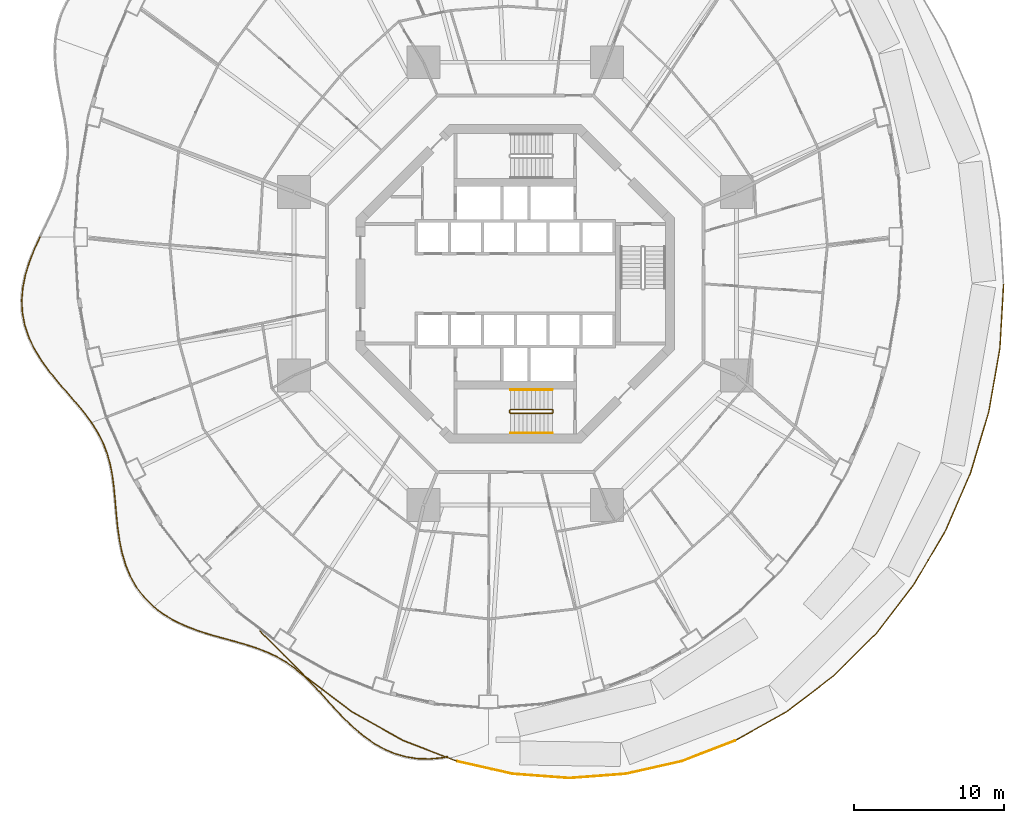
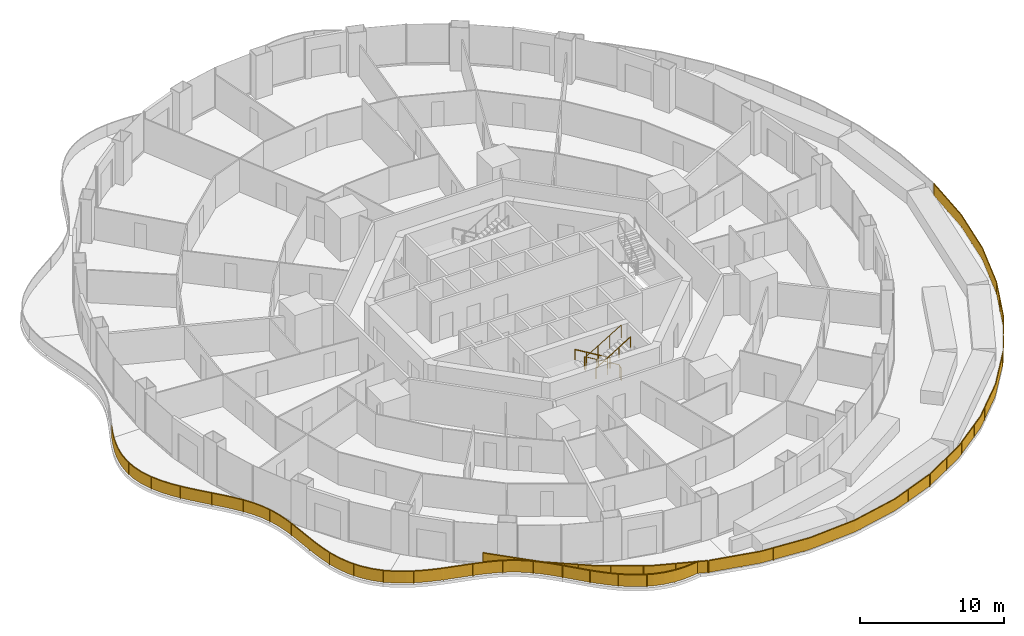
# One storey, part 20 of 22: 11 railings.
"""IFC4 building model written with IfcOpenShell, lengths in metres."""

from ifc_helpers import new_model, si_unit, direction, frame, origin, origin_2d, place, context, subcontext, project, spatial, polyline, rectangle, circle, outline, extrude, material, type_object, element, save


model = new_model("IFC4")

# Units and contexts
model_context = context("Model", 3, precision=1e-05, world=origin(), true_north=direction((0.0, 1.0)))
body_context = subcontext(model_context, "Body", "Model", "MODEL_VIEW")
ifc_project = project(units=[si_unit("LENGTHUNIT", "METRE"), si_unit("AREAUNIT", "SQUARE_METRE"), si_unit("VOLUMEUNIT", "CUBIC_METRE"), si_unit("PLANEANGLEUNIT", "RADIAN"), si_unit("MASSUNIT", "GRAM", prefix="KILO")], contexts=[model_context])

# Site, building, storey
site_placement = place(None, origin())
site = spatial("IfcSite", under=ifc_project, at=site_placement, CompositionType="ELEMENT")
building_placement = place(site_placement, origin())
building = spatial("IfcBuilding", under=site, at=building_placement, Name="Nagisa Residences", CompositionType="ELEMENT")
storey_placement = place(building_placement, frame((0.0, 0.0, 73.300048828125)))
storey = spatial("IfcBuildingStorey", under=building, at=storey_placement, Name="L17", CompositionType="ELEMENT", Elevation=73.300048828125)

# Railings
ifc_material_1 = material(Name="Stainless steel 316", Category="steel")
railing_type_1 = type_object("IfcRailingType", Name="BALCONY GUARD 1100", PredefinedType="BALUSTRADE", material=ifc_material_1)
railing_1_placement = place(storey_placement, frame((-31.72509765625, 3.11767578125, 0.0)))
element("IfcRailing", 1, at=railing_1_placement, inside=storey, type_object=railing_type_1, Name="guard:L17:bal08-0", PredefinedType="BALUSTRADE", context=body_context, shape_type="SweptSolid", body=[
    extrude(outline(polyline([(-0.353271484375, -0.83056640625), (0.022705078125, -0.010498046875), (-0.022705078125, 0.010498046875), (-0.399169921875, -0.81103515625), (-0.73193359375, -1.6552734375), (-0.996337890625, -2.511474609375), (-1.171875, -3.37451171875), (-1.24169921875, -4.237548828125), (-1.19775390625, -5.079345703125), (-1.03369140625, -5.919921875), (-0.755615234375, -6.7392578125), (-0.373779296875, -7.53173828125), (0.094970703125, -8.295166015625), (0.626220703125, -9.015625), (1.20166015625, -9.722412109375), (1.792724609375, -10.4072265625), (2.3740234375, -11.0771484375), (2.92236328125, -11.7412109375), (3.416748046875, -12.4033203125), (3.456787109375, -12.37353515625), (2.9619140625, -11.71044921875), (2.412109375, -11.044921875), (1.830810546875, -10.37451171875), (1.240234375, -9.690185546875), (0.665771484375, -8.98486328125), (0.136474609375, -8.267333984375), (-0.329833984375, -7.5078125), (-0.709228515625, -6.72021484375), (-0.9853515625, -5.9072265625), (-1.14794921875, -5.072998046875), (-1.19140625, -4.238037109375), (-1.1220703125, -3.38134765625), (-0.947998046875, -2.523681640625), (-0.6845703125, -1.671875), (-0.353271484375, -0.83056640625)])), frame((0.0, 0.0, 1.050048828125)), (0.0, 0.0, 1.0), 0.050048828125),
    extrude(outline(polyline([(-0.369873046875, -0.823486328125), (0.00634765625, -0.0029296875), (-0.00634765625, 0.0029296875), (-0.382568359375, -0.818115234375), (-0.71484375, -1.6611328125), (-0.97900390625, -2.515869140625), (-1.15380859375, -3.376953125), (-1.2236328125, -4.23779296875), (-1.179931640625, -5.0771484375), (-1.016357421875, -5.915283203125), (-0.739013671875, -6.732421875), (-0.35791015625, -7.523193359375), (0.10986328125, -8.28515625), (0.640380859375, -9.004638671875), (1.215576171875, -9.710693359375), (1.806396484375, -10.3955078125), (2.3876953125, -11.065673828125), (2.9365234375, -11.730224609375), (3.43115234375, -12.392578125), (3.4423828125, -12.38427734375), (2.94775390625, -11.721435546875), (2.3984375, -11.056396484375), (1.817138671875, -10.38623046875), (1.226318359375, -9.701904296875), (0.651611328125, -8.995849609375), (0.12158203125, -8.27734375), (-0.345703125, -7.516357421875), (-0.725830078125, -6.72705078125), (-1.002685546875, -5.911865234375), (-1.165771484375, -5.0751953125), (-1.20947265625, -4.23779296875), (-1.14013671875, -3.37890625), (-0.96533203125, -2.519287109375), (-0.70166015625, -1.666015625), (-0.369873046875, -0.823486328125)])), frame((0.0, 0.0, 0.06005859375)), (0.0, 0.0, 1.0), 0.989990234375),
    extrude(rectangle(XDim=0.0400390625, YDim=0.0400390625, at=origin_2d()), origin(), (0.0, 0.0, 1.0), 1.050048828125),
    extrude(rectangle(XDim=0.0400390625, YDim=0.0400390625, at=origin_2d()), frame((-0.86572265625, -2.173095703125, 0.0)), (0.0, 0.0, 1.0), 1.050048828125),
    extrude(rectangle(XDim=0.0400390625, YDim=0.0400390625, at=origin_2d()), frame((-1.2041015625, -4.478515625, 0.0)), (0.0, 0.0, 1.0), 1.050048828125),
    extrude(rectangle(XDim=0.0400390625, YDim=0.0400390625, at=origin_2d()), frame((-0.719970703125, -6.75537109375, 0.0)), (0.0, 0.0, 1.0), 1.050048828125),
    extrude(rectangle(XDim=0.0400390625, YDim=0.0400390625, at=origin_2d()), frame((0.471923828125, -8.76416015625, 0.0)), (0.0, 0.0, 1.0), 1.050048828125),
    extrude(rectangle(XDim=0.0400390625, YDim=0.0400390625, at=origin_2d()), frame((1.965087890625, -10.567626953125, 0.0)), (0.0, 0.0, 1.0), 1.050048828125),
    extrude(rectangle(XDim=0.0400390625, YDim=0.0400390625, at=origin_2d()), frame((3.436767578125, -12.388427734375, 0.0)), (0.0, 0.0, 1.0), 1.050048828125),
])
railing_2_placement = place(storey_placement, frame((-28.288330078125, -9.270751953125, 0.0)))
element("IfcRailing", 2, at=railing_2_placement, inside=storey, type_object=railing_type_1, Name="guard:L17:bal09-0", PredefinedType="BALUSTRADE", context=body_context, shape_type="SweptSolid", body=[
    extrude(outline(polyline([(0.437744140625, -0.64306640625), (0.021240234375, 0.013427734375), (-0.021240234375, -0.013427734375), (0.394287109375, -0.66796875), (0.74169921875, -1.349853515625), (1.017822265625, -2.060546875), (1.2265625, -2.80517578125), (1.377197265625, -3.585205078125), (1.476806640625, -4.387451171875), (1.55712890625, -5.23291015625), (1.631103515625, -6.101318359375), (1.720458984375, -6.981689453125), (1.845703125, -7.861328125), (2.017822265625, -8.713623046875), (2.269287109375, -9.548828125), (2.60400390625, -10.33984375), (3.02880859375, -11.073486328125), (3.544921875, -11.739990234375), (4.1435546875, -12.3251953125), (4.1787109375, -12.28955078125), (3.58251953125, -11.706787109375), (3.0703125, -11.045654296875), (2.64892578125, -10.3173828125), (2.316650390625, -9.53173828125), (2.066650390625, -8.701416015625), (1.89501953125, -7.85302734375), (1.770263671875, -6.975830078125), (1.680908203125, -6.096435546875), (1.60693359375, -5.228515625), (1.526611328125, -4.382080078125), (1.426513671875, -3.577392578125), (1.275390625, -2.79345703125), (1.065185546875, -2.044921875), (0.78759765625, -1.329345703125), (0.437744140625, -0.64306640625)])), frame((0.0, 0.0, 1.050048828125)), (0.0, 0.0, 1.0), 0.050048828125),
    extrude(outline(polyline([(0.422119140625, -0.652099609375), (0.005859375, 0.003662109375), (-0.005859375, -0.003662109375), (0.409912109375, -0.658935546875), (0.75830078125, -1.342529296875), (1.034912109375, -2.054931640625), (1.244140625, -2.801025390625), (1.39501953125, -3.582275390625), (1.49462890625, -4.385498046875), (1.574951171875, -5.2314453125), (1.64892578125, -6.099609375), (1.738525390625, -6.9794921875), (1.863525390625, -7.8583984375), (2.035400390625, -8.709228515625), (2.286376953125, -9.542724609375), (2.6201171875, -10.331787109375), (3.043701171875, -11.0634765625), (3.55859375, -11.72802734375), (4.15625, -12.3125), (4.166015625, -12.30224609375), (3.56884765625, -11.71875), (3.055419921875, -11.0556640625), (2.6328125, -10.325439453125), (2.299560546875, -9.537841796875), (2.049072265625, -8.705810546875), (1.877197265625, -7.85595703125), (1.752197265625, -6.97802734375), (1.6630859375, -6.09814453125), (1.589111328125, -5.22998046875), (1.5087890625, -4.384033203125), (1.40869140625, -3.580322265625), (1.2578125, -2.797607421875), (1.048095703125, -2.050537109375), (0.77099609375, -1.336669921875), (0.422119140625, -0.652099609375)])), frame((0.0, 0.0, 0.06005859375)), (0.0, 0.0, 1.0), 0.989990234375),
    extrude(rectangle(XDim=0.0400390625, YDim=0.0400390625, at=origin_2d()), origin(), (0.0, 0.0, 1.0), 1.050048828125),
    extrude(rectangle(XDim=0.0400390625, YDim=0.0400390625, at=origin_2d()), frame((1.0078125, -1.9658203125, 0.0)), (0.0, 0.0, 1.0), 1.050048828125),
    extrude(rectangle(XDim=0.0400390625, YDim=0.0400390625, at=origin_2d()), frame((1.4697265625, -4.128173828125, 0.0)), (0.0, 0.0, 1.0), 1.050048828125),
    extrude(rectangle(XDim=0.0400390625, YDim=0.0400390625, at=origin_2d()), frame((1.679931640625, -6.333984375, 0.0)), (0.0, 0.0, 1.0), 1.050048828125),
    extrude(rectangle(XDim=0.0400390625, YDim=0.0400390625, at=origin_2d()), frame((2.005126953125, -8.5244140625, 0.0)), (0.0, 0.0, 1.0), 1.050048828125),
    extrude(rectangle(XDim=0.0400390625, YDim=0.0400390625, at=origin_2d()), frame((2.778564453125, -10.59130859375, 0.0)), (0.0, 0.0, 1.0), 1.050048828125),
    extrude(rectangle(XDim=0.0400390625, YDim=0.0400390625, at=origin_2d()), frame((4.1611328125, -12.307373046875, 0.0)), (0.0, 0.0, 1.0), 1.050048828125),
])
railing_3_placement = place(storey_placement, frame((-24.127197265625, -21.578125, 0.0)))
element("IfcRailing", 3, at=railing_3_placement, inside=storey, type_object=railing_type_1, Name="guard:L17:bal10-0", PredefinedType="BALUSTRADE", context=body_context, shape_type="SweptSolid", body=[
    extrude(outline(polyline([(0.65673828125, -0.46435546875), (0.01513671875, 0.02001953125), (-0.01513671875, -0.02001953125), (0.62890625, -0.505859375), (1.341064453125, -0.929931640625), (2.101806640625, -1.290283203125), (2.8955078125, -1.595947265625), (3.70703125, -1.858154296875), (4.508544921875, -2.080810546875), (5.310546875, -2.300537109375), (6.089111328125, -2.522705078125), (6.835693359375, -2.763671875), (7.54443359375, -3.036865234375), (8.19921875, -3.345458984375), (8.829833984375, -3.715576171875), (9.42724609375, -4.142822265625), (9.9990234375, -4.627197265625), (10.554443359375, -5.16357421875), (11.0966796875, -5.739501953125), (11.13330078125, -5.705322265625), (10.590087890625, -5.12841796875), (10.03271484375, -4.590087890625), (9.4580078125, -4.103271484375), (8.857177734375, -3.673583984375), (8.22265625, -3.301025390625), (7.56396484375, -2.990966796875), (6.852294921875, -2.71630859375), (6.103759765625, -2.474853515625), (5.32421875, -2.252197265625), (4.521728515625, -2.032470703125), (3.72119140625, -1.810302734375), (2.912109375, -1.548583984375), (2.121337890625, -1.244384765625), (1.364501953125, -0.885498046875), (0.65673828125, -0.46435546875)])), frame((0.0, 0.0, 1.050048828125)), (0.0, 0.0, 1.0), 0.050048828125),
    extrude(outline(polyline([(0.646728515625, -0.479248046875), (0.004150390625, 0.005615234375), (-0.004150390625, -0.005615234375), (0.638916015625, -0.490966796875), (1.349365234375, -0.913818359375), (2.10888671875, -1.273681640625), (2.9013671875, -1.578857421875), (3.712158203125, -1.8408203125), (4.51318359375, -2.0634765625), (5.3154296875, -2.283203125), (6.094482421875, -2.50537109375), (6.841552734375, -2.74658203125), (7.551513671875, -3.020263671875), (8.207763671875, -3.329345703125), (8.839599609375, -3.700439453125), (9.438232421875, -4.128662109375), (10.01123046875, -4.61376953125), (10.5673828125, -5.15087890625), (11.10986328125, -5.727294921875), (11.1201171875, -5.717529296875), (10.5771484375, -5.14111328125), (10.0205078125, -4.603515625), (9.447021484375, -4.117431640625), (8.847412109375, -3.688720703125), (8.214111328125, -3.317138671875), (7.556884765625, -3.007568359375), (6.846435546875, -2.7333984375), (6.098388671875, -2.4921875), (5.3193359375, -2.26953125), (4.51708984375, -2.0498046875), (3.716064453125, -1.82763671875), (2.90625, -1.565673828125), (2.1142578125, -1.260986328125), (1.356201171875, -0.901611328125), (0.646728515625, -0.479248046875)])), frame((0.0, 0.0, 0.06005859375)), (0.0, 0.0, 1.0), 0.989990234375),
    extrude(rectangle(XDim=0.0400390625, YDim=0.0400390625, at=origin_2d()), origin(), (0.0, 0.0, 1.0), 1.050048828125),
    extrude(rectangle(XDim=0.0400390625, YDim=0.0400390625, at=origin_2d()), frame((1.791748046875, -1.11572265625, 0.0)), (0.0, 0.0, 1.0), 1.050048828125),
    extrude(rectangle(XDim=0.0400390625, YDim=0.0400390625, at=origin_2d()), frame((3.77490234375, -1.85107421875, 0.0)), (0.0, 0.0, 1.0), 1.050048828125),
    extrude(rectangle(XDim=0.0400390625, YDim=0.0400390625, at=origin_2d()), frame((5.814697265625, -2.41845703125, 0.0)), (0.0, 0.0, 1.0), 1.050048828125),
    extrude(rectangle(XDim=0.0400390625, YDim=0.0400390625, at=origin_2d()), frame((7.805419921875, -3.13232421875, 0.0)), (0.0, 0.0, 1.0), 1.050048828125),
    extrude(rectangle(XDim=0.0400390625, YDim=0.0400390625, at=origin_2d()), frame((9.594482421875, -4.251708984375, 0.0)), (0.0, 0.0, 1.0), 1.050048828125),
    extrude(rectangle(XDim=0.0400390625, YDim=0.0400390625, at=origin_2d()), frame((11.114990234375, -5.722412109375, 0.0)), (0.0, 0.0, 1.0), 1.050048828125),
])
railing_4_placement = place(storey_placement, frame((-13.01220703125, -27.300537109375, 0.0)))
element("IfcRailing", 4, at=railing_4_placement, inside=storey, type_object=railing_type_1, Name="guard:L17:bal11-0", PredefinedType="BALUSTRADE", context=body_context, shape_type="SweptSolid", body=[
    extrude(outline(polyline([(0.54541015625, -0.567138671875), (0.0185546875, 0.016845703125), (-0.0185546875, -0.016845703125), (0.50830078125, -0.600830078125), (1.057373046875, -1.20068359375), (1.62890625, -1.796630859375), (2.229248046875, -2.3701171875), (2.86279296875, -2.903076171875), (3.515380859375, -3.37255859375), (4.2197265625, -3.774169921875), (4.95703125, -4.08935546875), (5.721435546875, -4.309326171875), (6.50732421875, -4.4296875), (7.29052734375, -4.447998046875), (8.093994140625, -4.373046875), (8.495361328125, -4.2919921875), (8.485595703125, -4.2431640625), (8.086669921875, -4.3232421875), (7.28857421875, -4.397705078125), (6.51171875, -4.3798828125), (5.732177734375, -4.260498046875), (4.9736328125, -4.0419921875), (4.2421875, -3.729248046875), (3.542236328125, -3.33056640625), (2.8935546875, -2.863525390625), (2.262451171875, -2.3330078125), (1.6640625, -1.760986328125), (1.093994140625, -1.16650390625), (0.54541015625, -0.567138671875)])), frame((0.0, 0.0, 1.050048828125)), (0.0, 0.0, 1.0), 0.050048828125),
    extrude(outline(polyline([(0.531982421875, -0.579345703125), (0.005126953125, 0.004638671875), (-0.005126953125, -0.004638671875), (0.521728515625, -0.588623046875), (1.070556640625, -1.1884765625), (1.6416015625, -1.78369140625), (2.2412109375, -2.356689453125), (2.873779296875, -2.888916015625), (3.52490234375, -3.357421875), (4.227783203125, -3.758056640625), (4.962890625, -4.072265625), (5.725341796875, -4.291748046875), (6.5087890625, -4.411865234375), (7.289794921875, -4.429931640625), (8.09130859375, -4.35498046875), (8.491943359375, -4.2744140625), (8.489013671875, -4.2607421875), (8.08935546875, -4.34130859375), (7.289306640625, -4.415771484375), (6.51025390625, -4.397705078125), (5.728271484375, -4.278076171875), (4.9677734375, -4.05908203125), (4.234130859375, -3.745361328125), (3.53271484375, -3.345703125), (2.882568359375, -2.877685546875), (2.25048828125, -2.346435546875), (1.6513671875, -1.77392578125), (1.080810546875, -1.1787109375), (0.531982421875, -0.579345703125)])), frame((0.0, 0.0, 0.06005859375)), (0.0, 0.0, 1.0), 0.989990234375),
    extrude(rectangle(XDim=0.0400390625, YDim=0.0400390625, at=origin_2d()), origin(), (0.0, 0.0, 1.0), 1.050048828125),
    extrude(rectangle(XDim=0.0400390625, YDim=0.0400390625, at=origin_2d()), frame((1.36181640625, -1.482177734375, 0.0)), (0.0, 0.0, 1.0), 1.050048828125),
    extrude(rectangle(XDim=0.0400390625, YDim=0.0400390625, at=origin_2d()), frame((2.83740234375, -2.848876953125, 0.0)), (0.0, 0.0, 1.0), 1.050048828125),
    extrude(rectangle(XDim=0.0400390625, YDim=0.0400390625, at=origin_2d()), frame((4.552490234375, -3.88916015625, 0.0)), (0.0, 0.0, 1.0), 1.050048828125),
    extrude(rectangle(XDim=0.0400390625, YDim=0.0400390625, at=origin_2d()), frame((6.489501953125, -4.401611328125, 0.0)), (0.0, 0.0, 1.0), 1.050048828125),
    extrude(rectangle(XDim=0.0400390625, YDim=0.0400390625, at=origin_2d()), frame((8.490478515625, -4.267578125, 0.0)), (0.0, 0.0, 1.0), 1.050048828125),
])
ifc_material_2 = material(Name="Stainless steel 316", Category="steel")
railing_type_2 = type_object("IfcRailingType", Name="ROOF GUARD 1100", PredefinedType="GUARDRAIL", material=ifc_material_2)
railing_5_placement = place(storey_placement, frame((-17.028076171875, -23.176025390625, 0.0)))
element("IfcRailing", 5, at=railing_5_placement, inside=storey, type_object=railing_type_2, Name="guard:L17:garden03", PredefinedType="GUARDRAIL", context=body_context, shape_type="SweptSolid", body=[
    extrude(outline(polyline([(0.140869140625, -0.141845703125), (0.019775390625, 0.015380859375), (-0.019775390625, -0.015380859375), (0.103271484375, -0.175048828125), (2.957275390625, -3.0234375), (6.114501953125, -5.423828125), (9.51953125, -7.334716796875), (13.075927734375, -8.70849609375), (13.093994140625, -8.66162109375), (9.541015625, -7.289306640625), (6.141845703125, -5.3818359375), (2.990478515625, -2.98583984375), (0.140869140625, -0.141845703125)])), frame((0.0, 0.0, 1.050048828125)), (0.0, 0.0, 1.0), 0.050048828125),
    extrude(outline(polyline([(0.12744140625, -0.15380859375), (0.005615234375, 0.004150390625), (-0.005615234375, -0.004150390625), (0.11669921875, -0.1630859375), (2.96923828125, -3.010009765625), (6.124267578125, -5.40869140625), (9.52734375, -7.318359375), (13.08251953125, -8.691650390625), (13.08740234375, -8.678466796875), (9.533203125, -7.3056640625), (6.132080078125, -5.39697265625), (2.978515625, -2.999267578125), (0.12744140625, -0.15380859375)])), frame((0.0, 0.0, 0.06005859375)), (0.0, 0.0, 1.0), 0.989990234375),
    extrude(rectangle(XDim=0.0400390625, YDim=0.0400390625, at=origin_2d()), origin(), (0.0, 0.0, 1.0), 1.050048828125),
    extrude(rectangle(XDim=0.0400390625, YDim=0.0400390625, at=origin_2d()), frame((1.588623046875, -1.6220703125, 0.0)), (0.0, 0.0, 1.0), 1.050048828125),
    extrude(rectangle(XDim=0.0400390625, YDim=0.0400390625, at=origin_2d()), frame((3.224365234375, -3.195068359375, 0.0)), (0.0, 0.0, 1.0), 1.050048828125),
    extrude(rectangle(XDim=0.0400390625, YDim=0.0400390625, at=origin_2d()), frame((5.032958984375, -4.570068359375, 0.0)), (0.0, 0.0, 1.0), 1.050048828125),
    extrude(rectangle(XDim=0.0400390625, YDim=0.0400390625, at=origin_2d()), frame((6.90966796875, -5.84130859375, 0.0)), (0.0, 0.0, 1.0), 1.050048828125),
    extrude(rectangle(XDim=0.0400390625, YDim=0.0400390625, at=origin_2d()), frame((8.890869140625, -6.953125, 0.0)), (0.0, 0.0, 1.0), 1.050048828125),
    extrude(rectangle(XDim=0.0400390625, YDim=0.0400390625, at=origin_2d()), frame((10.965576171875, -7.866455078125, 0.0)), (0.0, 0.0, 1.0), 1.050048828125),
    extrude(rectangle(XDim=0.0400390625, YDim=0.0400390625, at=origin_2d()), frame((13.0849609375, -8.68505859375, 0.0)), (0.0, 0.0, 1.0), 1.050048828125),
])
railing_6_placement = place(storey_placement, frame((-3.86669921875, -31.88427734375, 0.0)))
element("IfcRailing", 6, at=railing_6_placement, inside=storey, type_object=railing_type_2, Name="guard:L17:garden04", PredefinedType="GUARDRAIL", context=body_context, shape_type="SweptSolid", body=[
    extrude(outline(polyline([(3.68505859375, -0.80859375), (0.005615234375, 0.0244140625), (-0.005615234375, -0.0244140625), (3.677734375, -0.8583984375), (7.466796875, -1.140869140625), (11.255615234375, -0.8583984375), (14.979736328125, -0.01513671875), (18.5361328125, 1.3583984375), (18.51806640625, 1.4052734375), (14.965087890625, 0.03271484375), (11.248291015625, -0.80859375), (7.466796875, -1.090576171875), (3.68505859375, -0.80859375)])), frame((0.0, 0.0, 1.050048828125)), (0.0, 0.0, 1.0), 0.050048828125),
    extrude(outline(polyline([(3.682373046875, -0.82666015625), (0.00146484375, 0.0068359375), (-0.00146484375, -0.0068359375), (3.680419921875, -0.84033203125), (7.466796875, -1.122802734375), (11.2529296875, -0.84033203125), (14.974365234375, 0.001953125), (18.529541015625, 1.375244140625), (18.524658203125, 1.388427734375), (14.970458984375, 0.015625), (11.2509765625, -0.82666015625), (7.466796875, -1.108642578125), (3.682373046875, -0.82666015625)])), frame((0.0, 0.0, 0.06005859375)), (0.0, 0.0, 1.0), 0.989990234375),
    extrude(rectangle(XDim=0.0400390625, YDim=0.0400390625, at=origin_2d()), origin(), (0.0, 0.0, 1.0), 1.050048828125),
    extrude(rectangle(XDim=0.0400390625, YDim=0.0400390625, at=origin_2d()), frame((2.3154296875, -0.524169921875, 0.0)), (0.0, 0.0, 1.0), 1.050048828125),
    extrude(rectangle(XDim=0.0400390625, YDim=0.0400390625, at=origin_2d()), frame((4.652099609375, -0.90576171875, 0.0)), (0.0, 0.0, 1.0), 1.050048828125),
    extrude(rectangle(XDim=0.0400390625, YDim=0.0400390625, at=origin_2d()), frame((7.019287109375, -1.082275390625, 0.0)), (0.0, 0.0, 1.0), 1.050048828125),
    extrude(rectangle(XDim=0.0400390625, YDim=0.0400390625, at=origin_2d()), frame((9.38671875, -0.97265625, 0.0)), (0.0, 0.0, 1.0), 1.050048828125),
    extrude(rectangle(XDim=0.0400390625, YDim=0.0400390625, at=origin_2d()), frame((11.742919921875, -0.722412109375, 0.0)), (0.0, 0.0, 1.0), 1.050048828125),
    extrude(rectangle(XDim=0.0400390625, YDim=0.0400390625, at=origin_2d()), frame((14.058349609375, -0.1982421875, 0.0)), (0.0, 0.0, 1.0), 1.050048828125),
    extrude(rectangle(XDim=0.0400390625, YDim=0.0400390625, at=origin_2d()), frame((16.312744140625, 0.5263671875, 0.0)), (0.0, 0.0, 1.0), 1.050048828125),
    extrude(rectangle(XDim=0.0400390625, YDim=0.0400390625, at=origin_2d()), frame((18.527099609375, 1.3818359375, 0.0)), (0.0, 0.0, 1.0), 1.050048828125),
])
railing_7_placement = place(storey_placement, frame((14.732666015625, -30.468505859375, 0.0)))
element("IfcRailing", 7, at=railing_7_placement, inside=storey, type_object=railing_type_2, Name="guard:L17:garden05", PredefinedType="GUARDRAIL", context=body_context, shape_type="SweptSolid", body=[
    extrude(outline(polyline([(3.353759765625, 1.91064453125), (-0.01220703125, 0.021728515625), (0.01220703125, -0.021728515625), (3.381103515625, 1.86865234375), (6.5380859375, 4.26904296875), (9.392333984375, 7.117431640625), (11.895263671875, 10.365478515625), (13.9833984375, 13.92138671875), (13.9404296875, 13.94677734375), (11.853759765625, 10.393310546875), (9.354736328125, 7.150634765625), (6.5048828125, 4.306640625), (3.353759765625, 1.91064453125)])), frame((0.0, 0.0, 1.050048828125)), (0.0, 0.0, 1.0), 0.050048828125),
    extrude(outline(polyline([(3.363525390625, 1.8955078125), (-0.00341796875, 0.006103515625), (0.00341796875, -0.006103515625), (3.371337890625, 1.8837890625), (6.526123046875, 4.282470703125), (9.37890625, 7.12939453125), (11.88037109375, 10.37548828125), (13.968017578125, 13.930419921875), (13.955810546875, 13.937744140625), (11.86865234375, 10.38330078125), (9.3681640625, 7.138671875), (6.516845703125, 4.293212890625), (3.363525390625, 1.8955078125)])), frame((0.0, 0.0, 0.06005859375)), (0.0, 0.0, 1.0), 0.989990234375),
    extrude(rectangle(XDim=0.0400390625, YDim=0.0400390625, at=origin_2d()), origin(), (0.0, 0.0, 1.0), 1.050048828125),
    extrude(rectangle(XDim=0.0400390625, YDim=0.0400390625, at=origin_2d()), frame((1.945068359375, 1.09130859375, 0.0)), (0.0, 0.0, 1.0), 1.050048828125),
    extrude(rectangle(XDim=0.0400390625, YDim=0.0400390625, at=origin_2d()), frame((3.844482421875, 2.252197265625, 0.0)), (0.0, 0.0, 1.0), 1.050048828125),
    extrude(rectangle(XDim=0.0400390625, YDim=0.0400390625, at=origin_2d()), frame((5.61962890625, 3.602294921875, 0.0)), (0.0, 0.0, 1.0), 1.050048828125),
    extrude(rectangle(XDim=0.0400390625, YDim=0.0400390625, at=origin_2d()), frame((7.29833984375, 5.06298828125, 0.0)), (0.0, 0.0, 1.0), 1.050048828125),
    extrude(rectangle(XDim=0.0400390625, YDim=0.0400390625, at=origin_2d()), frame((8.876953125, 6.638427734375, 0.0)), (0.0, 0.0, 1.0), 1.050048828125),
    extrude(rectangle(XDim=0.0400390625, YDim=0.0400390625, at=origin_2d()), frame((10.306640625, 8.344970703125, 0.0)), (0.0, 0.0, 1.0), 1.050048828125),
    extrude(rectangle(XDim=0.0400390625, YDim=0.0400390625, at=origin_2d()), frame((11.66796875, 10.111572265625, 0.0)), (0.0, 0.0, 1.0), 1.050048828125),
    extrude(rectangle(XDim=0.0400390625, YDim=0.0400390625, at=origin_2d()), frame((12.83251953125, 12.010986328125, 0.0)), (0.0, 0.0, 1.0), 1.050048828125),
    extrude(rectangle(XDim=0.0400390625, YDim=0.0400390625, at=origin_2d()), frame((13.9619140625, 13.93408203125, 0.0)), (0.0, 0.0, 1.0), 1.050048828125),
])
railing_8_placement = place(storey_placement, frame((28.730712890625, -16.46337890625, 0.0)))
element("IfcRailing", 8, at=railing_8_placement, inside=storey, type_object=railing_type_2, Name="guard:L17:garden06", PredefinedType="GUARDRAIL", context=body_context, shape_type="SweptSolid", body=[
    extrude(outline(polyline([(1.638427734375, 3.84326171875), (-0.02294921875, 0.010009765625), (0.02294921875, -0.010009765625), (1.685302734375, 3.826171875), (2.905517578125, 7.91650390625), (3.64599609375, 12.153076171875), (3.891845703125, 16.421875), (3.842041015625, 16.4248046875), (3.59619140625, 12.158935546875), (2.856689453125, 7.92822265625), (1.638427734375, 3.84326171875)])), frame((0.0, 0.0, 1.050048828125)), (0.0, 0.0, 1.0), 0.050048828125),
    extrude(outline(polyline([(1.6552734375, 3.837158203125), (-0.00634765625, 0.002685546875), (0.00634765625, -0.002685546875), (1.66845703125, 3.832275390625), (2.887939453125, 7.920654296875), (3.628173828125, 12.1552734375), (3.8740234375, 16.4228515625), (3.85986328125, 16.423828125), (3.614013671875, 12.15673828125), (2.874267578125, 7.924072265625), (1.6552734375, 3.837158203125)])), frame((0.0, 0.0, 0.06005859375)), (0.0, 0.0, 1.0), 0.989990234375),
    extrude(rectangle(XDim=0.0400390625, YDim=0.0400390625, at=origin_2d()), origin(), (0.0, 0.0, 1.0), 1.050048828125),
    extrude(rectangle(XDim=0.0400390625, YDim=0.0400390625, at=origin_2d()), frame((0.845947265625, 1.95166015625, 0.0)), (0.0, 0.0, 1.0), 1.050048828125),
    extrude(rectangle(XDim=0.0400390625, YDim=0.0400390625, at=origin_2d()), frame((1.683349609375, 3.906494140625, 0.0)), (0.0, 0.0, 1.0), 1.050048828125),
    extrude(rectangle(XDim=0.0400390625, YDim=0.0400390625, at=origin_2d()), frame((2.291259765625, 5.945068359375, 0.0)), (0.0, 0.0, 1.0), 1.050048828125),
    extrude(rectangle(XDim=0.0400390625, YDim=0.0400390625, at=origin_2d()), frame((2.89208984375, 7.985107421875, 0.0)), (0.0, 0.0, 1.0), 1.050048828125),
    extrude(rectangle(XDim=0.0400390625, YDim=0.0400390625, at=origin_2d()), frame((3.25830078125, 10.080322265625, 0.0)), (0.0, 0.0, 1.0), 1.050048828125),
    extrude(rectangle(XDim=0.0400390625, YDim=0.0400390625, at=origin_2d()), frame((3.622314453125, 12.176025390625, 0.0)), (0.0, 0.0, 1.0), 1.050048828125),
    extrude(rectangle(XDim=0.0400390625, YDim=0.0400390625, at=origin_2d()), frame((3.74462890625, 14.2998046875, 0.0)), (0.0, 0.0, 1.0), 1.050048828125),
    extrude(rectangle(XDim=0.0400390625, YDim=0.0400390625, at=origin_2d()), frame((3.866943359375, 16.42333984375, 0.0)), (0.0, 0.0, 1.0), 1.050048828125),
])
ifc_material_3 = material(Name="Stainless steel", Category="steel")
railing_type_3 = type_object("IfcRailingType", Name="Stair guard 1100", PredefinedType="GUARDRAIL", material=ifc_material_3)
railing_9_placement = place(storey_placement, frame((2.52490234375, -8.599609375, 0.0)))
element("IfcRailing", 9, at=railing_9_placement, inside=storey, type_object=railing_type_3, Name="L17 ST-S stair guard 1", PredefinedType="GUARDRAIL", context=body_context, shape_type="SweptSolid", body=[
    extrude(circle(Radius=0.02392578125, at=origin_2d()), frame((0.0, 0.0, 1.076171875), z_axis=(0.0, 1.0, 0.0), x_axis=(-1.0, 0.0, 0.0)), (0.0, 0.0, 1.0), 0.14990234375),
    extrude(circle(Radius=0.02392578125, at=origin_2d()), frame((0.0, 0.14990234375, 1.076171875), z_axis=(-0.273006030465, 0.27434429532, 0.922064485248), x_axis=(-0.708833529934, -0.705375805398, 0.0)), (0.0, 0.0, 1.0), 0.182373046875),
    extrude(circle(Radius=0.02392578125, at=origin_2d()), frame((-0.0498046875, 0.199951171875, 1.244140625), z_axis=(-0.857275202839, 0.0, 0.514858452973), x_axis=(0.0, -1.0, 0.0)), (0.0, 0.0, 1.0), 3.26611328125),
    extrude(circle(Radius=0.02392578125, at=origin_2d()), frame((-2.849853515625, 0.199951171875, 2.92578125), z_axis=(-0.707106781187, -0.707106781187, 0.0), x_axis=(0.707106781187, -0.707106781187, 0.0)), (0.0, 0.0, 1.0), 0.07080078125),
    extrude(circle(Radius=0.02392578125, at=origin_2d()), frame((-2.89990234375, 0.14990234375, 2.92578125), z_axis=(0.0, -1.0, 0.0), x_axis=(1.0, 0.0, 0.0)), (0.0, 0.0, 1.0), 0.14990234375),
    extrude(circle(Radius=0.02392578125, at=origin_2d()), frame((-2.89990234375, 0.0, 2.92578125), z_axis=(0.274243871929, -0.274243871929, 0.92172696468), x_axis=(0.707106781187, 0.707106781187, 0.0)), (0.0, 0.0, 1.0), 0.1826171875),
    extrude(circle(Radius=0.02392578125, at=origin_2d()), frame((-2.849853515625, -0.050048828125, 3.09423828125), z_axis=(0.857242210791, 0.0, 0.514913383045), x_axis=(0.0, 1.0, 0.0)), (0.0, 0.0, 1.0), 3.266357421875),
    extrude(circle(Radius=0.02099609375, at=origin_2d()), origin(), (0.0, 0.0, 1.0), 1.052001953125),
    extrude(circle(Radius=0.02099609375, at=origin_2d()), frame((0.0, 0.14990234375, 0.0)), (0.0, 0.0, 1.0), 1.052001953125),
    extrude(circle(Radius=0.02099609375, at=origin_2d()), frame((-0.0498046875, 0.199951171875, 0.168212890625)), (0.0, 0.0, 1.0), 1.052001953125),
    extrude(circle(Radius=0.02099609375, at=origin_2d()), frame((-0.983154296875, 0.199951171875, 0.728759765625)), (0.0, 0.0, 1.0), 1.052001953125),
    extrude(circle(Radius=0.02099609375, at=origin_2d()), frame((-1.91650390625, 0.199951171875, 1.289306640625)), (0.0, 0.0, 1.0), 1.052001953125),
    extrude(circle(Radius=0.02099609375, at=origin_2d()), frame((-2.849853515625, 0.199951171875, 1.849853515625)), (0.0, 0.0, 1.0), 1.052001953125),
    extrude(circle(Radius=0.02099609375, at=origin_2d()), frame((-2.89990234375, 0.14990234375, 1.849853515625)), (0.0, 0.0, 1.0), 1.052001953125),
    extrude(circle(Radius=0.02099609375, at=origin_2d()), frame((-2.89990234375, 0.0, 1.849853515625)), (0.0, 0.0, 1.0), 1.052001953125),
    extrude(circle(Radius=0.02099609375, at=origin_2d()), frame((-2.849853515625, -0.050048828125, 2.01806640625)), (0.0, 0.0, 1.0), 1.052001953125),
    extrude(circle(Radius=0.02099609375, at=origin_2d()), frame((-1.91650390625, -0.050048828125, 2.57861328125)), (0.0, 0.0, 1.0), 1.052001953125),
    extrude(circle(Radius=0.02099609375, at=origin_2d()), frame((-0.983154296875, -0.050048828125, 3.139404296875)), (0.0, 0.0, 1.0), 1.052001953125),
    extrude(circle(Radius=0.02099609375, at=origin_2d()), frame((-0.0498046875, -0.050048828125, 3.699951171875)), (0.0, 0.0, 1.0), 1.052001953125),
])
ifc_material_4 = material(Name="Stainless steel", Category="steel")
railing_type_4 = type_object("IfcRailingType", Name="Stair handrail 900", PredefinedType="HANDRAIL", material=ifc_material_4)
railing_10_placement = place(storey_placement, frame((2.47509765625, -7.07470703125, 0.168212890625)))
element("IfcRailing", 10, at=railing_10_placement, inside=storey, type_object=railing_type_4, Name="L17 ST-S stair handrail 1", PredefinedType="HANDRAIL", context=body_context, shape_type="SweptSolid", body=[
    extrude(circle(Radius=0.02392578125, at=origin_2d()), frame((0.0, 0.0, 0.8759765625), z_axis=(-0.857275202839, 0.0, 0.514858452973), x_axis=(0.0, -1.0, 0.0)), (0.0, 0.0, 1.0), 3.26611328125),
    extrude(circle(Radius=0.02099609375, at=origin_2d()), origin(), (0.0, 0.0, 1.0), 0.851806640625),
    extrude(circle(Radius=0.02099609375, at=origin_2d()), frame((-0.933349609375, 0.0, 0.560546875)), (0.0, 0.0, 1.0), 0.851806640625),
    extrude(circle(Radius=0.02099609375, at=origin_2d()), frame((-1.86669921875, 0.0, 1.12109375)), (0.0, 0.0, 1.0), 0.851806640625),
    extrude(circle(Radius=0.02099609375, at=origin_2d()), frame((-2.800048828125, 0.0, 1.681640625)), (0.0, 0.0, 1.0), 0.851806640625),
])
railing_11_placement = place(storey_placement, frame((-0.324951171875, -9.974609375, 2.01806640625)))
element("IfcRailing", 11, at=railing_11_placement, inside=storey, type_object=railing_type_4, Name="L17 ST-S stair handrail 2", PredefinedType="HANDRAIL", context=body_context, shape_type="SweptSolid", body=[
    extrude(circle(Radius=0.02392578125, at=origin_2d()), frame((0.0, 0.0, 0.8759765625), z_axis=(0.857242210791, 0.0, 0.514913383045), x_axis=(0.0, 1.0, 0.0)), (0.0, 0.0, 1.0), 3.266357421875),
    extrude(circle(Radius=0.02099609375, at=origin_2d()), origin(), (0.0, 0.0, 1.0), 0.851806640625),
    extrude(circle(Radius=0.02099609375, at=origin_2d()), frame((0.933349609375, 0.0, 0.560546875)), (0.0, 0.0, 1.0), 0.851806640625),
    extrude(circle(Radius=0.02099609375, at=origin_2d()), frame((1.86669921875, 0.0, 1.121337890625)), (0.0, 0.0, 1.0), 0.851806640625),
    extrude(circle(Radius=0.02099609375, at=origin_2d()), frame((2.800048828125, 0.0, 1.681884765625)), (0.0, 0.0, 1.0), 0.851806640625),
])

save(model, "model.ifc")
